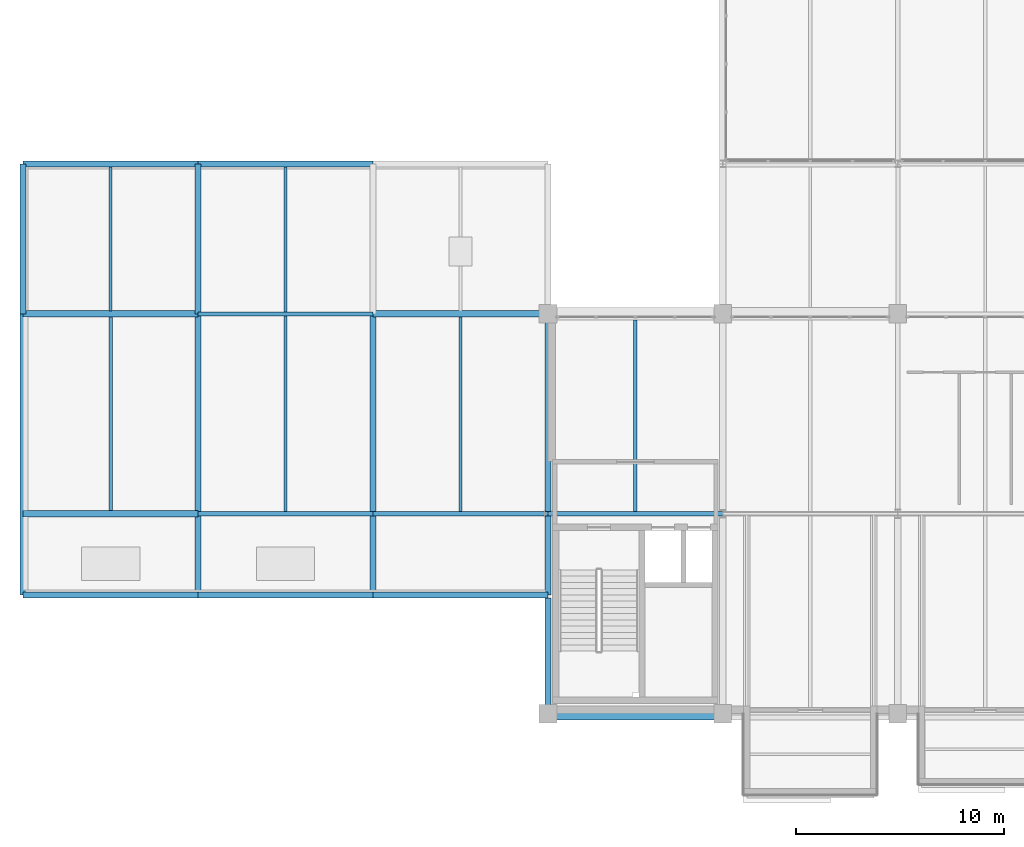
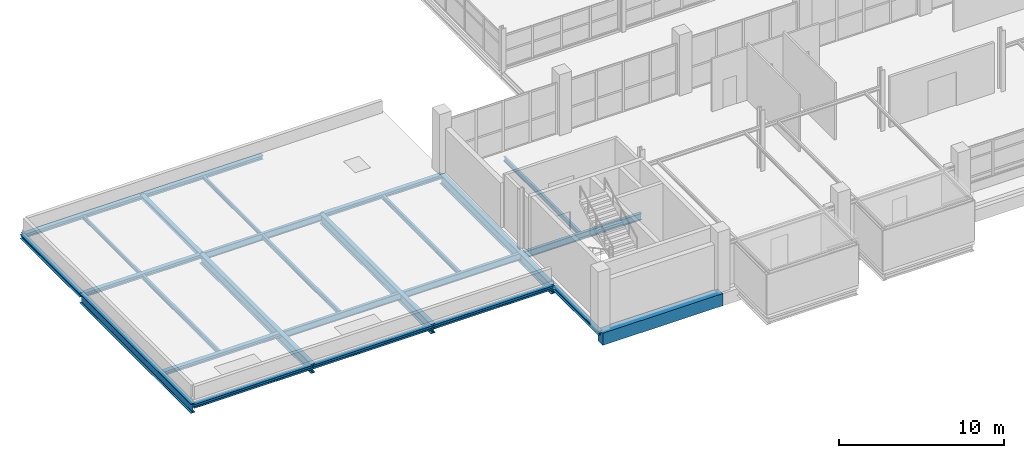
# One storey, part 11 of 103: 26 beams.
"""IFC4 building model written with IfcOpenShell, lengths in metres."""

from ifc_helpers import new_model, si_unit, direction, frame, origin, origin_2d, place, context, subcontext, project, spatial, rectangle, i_section, extrude, material, material_profile, profile_set, type_object, element, save


model = new_model("IFC4")

# Units and contexts
model_context = context("Model", 3, precision=1e-05, world=origin(), true_north=direction((0.0, 1.0)))
body_context = subcontext(model_context, "Body", "Model", "MODEL_VIEW")
ifc_project = project(units=[si_unit("LENGTHUNIT", "METRE"), si_unit("AREAUNIT", "SQUARE_METRE"), si_unit("VOLUMEUNIT", "CUBIC_METRE"), si_unit("PLANEANGLEUNIT", "RADIAN"), si_unit("MASSUNIT", "GRAM", prefix="KILO")], contexts=[model_context])

# Site, building, storey
site_placement = place(None, origin())
site = spatial("IfcSite", under=ifc_project, at=site_placement, CompositionType="ELEMENT")
building_placement = place(site_placement, origin())
building = spatial("IfcBuilding", under=site, at=building_placement, Name="Veltarok Museum of Natural Sciences", CompositionType="ELEMENT")
storey_placement = place(building_placement, frame((0.0, 0.0, 21.89990234375)))
storey = spatial("IfcBuildingStorey", under=building, at=storey_placement, Name="L04", CompositionType="ELEMENT", Elevation=21.89990234375)

# Beams
ifc_material_1 = material(Name="Concrete C40/50", Category="concrete")
ifc_material_profile_1 = material_profile(ifc_material_1, rectangle(XDim=0.60009765625, YDim=0.89990234375, at=origin_2d()), Name="RC 600x900")
ifc_profile_set_1 = profile_set([ifc_material_profile_1], Name="Concrete C40/50")
beam_type_1 = type_object("IfcBeamType", Name="Exposed Cabinet Perimeter Spandrel RC 600x900", PredefinedType="SPANDREL", material=ifc_profile_set_1)
beam_1_placement = place(storey_placement, frame((31.60009765625, 0.0, -0.699951171875), z_axis=(1.0, 0.0, 0.0), x_axis=(0.0, 1.0, 0.0)))
element("IfcBeam", 1, at=beam_1_placement, inside=storey, type_object=beam_type_1, Name="Beam BM-SP01 L04 4-5/A", PredefinedType="SPANDREL", context=body_context, shape_type="SweptSolid", body=[
    extrude(rectangle(XDim=0.60009765625, YDim=0.89990234375, at=origin_2d()), origin(), (0.0, 0.0, 1.0), 8.39990234375),
])
ifc_material_2 = material(Name="Steel S355J2", Category="steel")
ifc_material_profile_2 = material_profile(ifc_material_2, i_section(OverallWidth=0.300048828125, OverallDepth=0.2900390625, WebThickness=0.008544921875, FlangeThickness=0.013916015625, FilletRadius=0.027099609375, at=origin_2d()), Name="HEA 300")
ifc_profile_set_2 = profile_set([ifc_material_profile_2], Name="Steel S355J2")
beam_type_2 = type_object("IfcBeamType", Name="Glazed Hall Edge Spandrel HEA 300", PredefinedType="SPANDREL", material=ifc_profile_set_2)
for number, where, z_axis, x_axis, name in (
    (2, (6.39990234375, 9.60009765625, -0.39501953125), (1.0, 0.0, 0.0), (0.0, 1.0, 0.0), "Beam BM-SP03 L04 1-2/B"),
    (3, (6.39990234375, 19.199951171875, -0.39501953125), (1.0, 0.0, 0.0), (0.0, 1.0, 0.0), "Beam BM-SP03 L04 1-2/C"),
    (4, (23.199951171875, 19.199951171875, -0.39501953125), (1.0, 0.0, 0.0), (0.0, 1.0, 0.0), "Beam BM-SP03 L04 3-4/C"),
    (5, (6.39990234375, 26.39990234375, -0.39501953125), (1.0, 0.0, 0.0), (0.0, 1.0, 0.0), "Beam BM-SP03 L04 1-2/D"),
):
    element("IfcBeam", number, at=place(storey_placement, frame(where, z_axis=z_axis, x_axis=x_axis)), inside=storey, type_object=beam_type_2, Name=name, PredefinedType="SPANDREL", context=body_context, shape_type="SweptSolid", body=[
        extrude(i_section(OverallWidth=0.300048828125, OverallDepth=0.2900390625, WebThickness=0.008544921875, FlangeThickness=0.013916015625, FilletRadius=0.027099609375, at=origin_2d()), origin(), (0.0, 0.0, 1.0), 8.400146484375),
    ])
beam_2_placement = place(storey_placement, frame((14.800048828125, 26.39990234375, -0.39501953125), z_axis=(1.0, 0.0, 0.0), x_axis=(0.0, 1.0, 0.0)))
element("IfcBeam", 6, at=beam_2_placement, inside=storey, type_object=beam_type_2, Name="Beam BM-SP03 L04 2-3/D", PredefinedType="SPANDREL", context=body_context, shape_type="SweptSolid", body=[
    extrude(i_section(OverallWidth=0.300048828125, OverallDepth=0.2900390625, WebThickness=0.008544921875, FlangeThickness=0.013916015625, FilletRadius=0.027099609375, at=origin_2d()), origin(), (0.0, 0.0, 1.0), 8.39990234375),
])
for number, where, z_axis, x_axis, name in (
    (7, (6.39990234375, 19.199951171875, -0.39501953125), (0.0, 1.0, 0.0), (-1.0, 0.0, 0.0), "Beam BM-SP03 L04 1/C-D"),
    (8, (14.800048828125, 19.199951171875, -0.39501953125), (0.0, 1.0, 0.0), (-1.0, 0.0, 0.0), "Beam BM-SP03 L04 2/C-D"),
):
    element("IfcBeam", number, at=place(storey_placement, frame(where, z_axis=z_axis, x_axis=x_axis)), inside=storey, type_object=beam_type_2, Name=name, PredefinedType="SPANDREL", context=body_context, shape_type="SweptSolid", body=[
        extrude(i_section(OverallWidth=0.300048828125, OverallDepth=0.2900390625, WebThickness=0.008544921875, FlangeThickness=0.013916015625, FilletRadius=0.027099609375, at=origin_2d()), origin(), (0.0, 0.0, 1.0), 7.199951171875),
    ])
beam_3_placement = place(storey_placement, frame((31.60009765625, 0.0, -0.39501953125), z_axis=(0.0, 1.0, 0.0), x_axis=(-1.0, 0.0, 0.0)))
element("IfcBeam", 9, at=beam_3_placement, inside=storey, type_object=beam_type_2, Name="Beam BM-SP03 L04 4/A-B", PredefinedType="SPANDREL", context=body_context, shape_type="SweptSolid", body=[
    extrude(i_section(OverallWidth=0.300048828125, OverallDepth=0.2900390625, WebThickness=0.008544921875, FlangeThickness=0.013916015625, FilletRadius=0.027099609375, at=origin_2d()), origin(), (0.0, 0.0, 1.0), 5.550048828125),
])
beam_4_placement = place(storey_placement, frame((6.39990234375, 5.699951171875, -0.39501953125), z_axis=(1.0, 0.0, 0.0), x_axis=(0.0, 1.0, 0.0)))
element("IfcBeam", 10, at=beam_4_placement, inside=storey, type_object=beam_type_2, Name="Bridge South Edge Spandrel L04 1-2", PredefinedType="SPANDREL", context=body_context, shape_type="SweptSolid", body=[
    extrude(i_section(OverallWidth=0.300048828125, OverallDepth=0.2900390625, WebThickness=0.008544921875, FlangeThickness=0.013916015625, FilletRadius=0.027099609375, at=origin_2d()), origin(), (0.0, 0.0, 1.0), 8.400146484375),
])
beam_5_placement = place(storey_placement, frame((14.800048828125, 5.699951171875, -0.39501953125), z_axis=(1.0, 0.0, 0.0), x_axis=(0.0, 1.0, 0.0)))
element("IfcBeam", 11, at=beam_5_placement, inside=storey, type_object=beam_type_2, Name="Bridge South Edge Spandrel L04 2-3", PredefinedType="SPANDREL", context=body_context, shape_type="SweptSolid", body=[
    extrude(i_section(OverallWidth=0.300048828125, OverallDepth=0.2900390625, WebThickness=0.008544921875, FlangeThickness=0.013916015625, FilletRadius=0.027099609375, at=origin_2d()), origin(), (0.0, 0.0, 1.0), 8.39990234375),
])
beam_6_placement = place(storey_placement, frame((23.199951171875, 5.699951171875, -0.39501953125), z_axis=(1.0, 0.0, 0.0), x_axis=(0.0, 1.0, 0.0)))
element("IfcBeam", 12, at=beam_6_placement, inside=storey, type_object=beam_type_2, Name="Bridge South Edge Spandrel L04 3-4", PredefinedType="SPANDREL", context=body_context, shape_type="SweptSolid", body=[
    extrude(i_section(OverallWidth=0.300048828125, OverallDepth=0.2900390625, WebThickness=0.008544921875, FlangeThickness=0.013916015625, FilletRadius=0.027099609375, at=origin_2d()), origin(), (0.0, 0.0, 1.0), 8.400146484375),
])
ifc_material_profile_3 = material_profile(ifc_material_2, i_section(OverallWidth=0.300048828125, OverallDepth=0.699951171875, WebThickness=0.01708984375, FlangeThickness=0.031982421875, FilletRadius=0.027099609375, at=origin_2d()), Name="HEB 700")
ifc_profile_set_3 = profile_set([ifc_material_profile_3], Name="Steel S355J2")
beam_type_3 = type_object("IfcBeamType", Name="Long-Span Hall Girder HEB 700", PredefinedType="BEAM", material=ifc_profile_set_3)
for number, where, z_axis, x_axis, name in (
    (13, (6.39990234375, 5.699951171875, -0.599853515625), (0.0, 1.0, 0.0), (-1.0, 0.0, 0.0), "Bridge Cantilever Girder L04 1"),
    (14, (14.800048828125, 5.699951171875, -0.599853515625), (0.0, 1.0, 0.0), (-1.0, 0.0, 0.0), "Bridge Cantilever Girder L04 2"),
    (15, (23.199951171875, 5.699951171875, -0.599853515625), (0.0, 1.0, 0.0), (-1.0, 0.0, 0.0), "Bridge Cantilever Girder L04 3"),
    (16, (31.60009765625, 5.699951171875, -0.599853515625), (0.0, 1.0, 0.0), (-1.0, 0.0, 0.0), "Bridge Cantilever Girder L04 4"),
):
    element("IfcBeam", number, at=place(storey_placement, frame(where, z_axis=z_axis, x_axis=x_axis)), inside=storey, type_object=beam_type_3, Name=name, PredefinedType="BEAM", context=body_context, shape_type="SweptSolid", body=[
        extrude(i_section(OverallWidth=0.300048828125, OverallDepth=0.699951171875, WebThickness=0.01708984375, FlangeThickness=0.031982421875, FilletRadius=0.027099609375, at=origin_2d()), origin(), (0.0, 0.0, 1.0), 13.5),
    ])
ifc_material_profile_4 = material_profile(ifc_material_2, i_section(OverallWidth=0.159912109375, OverallDepth=0.330078125, WebThickness=0.007568359375, FlangeThickness=0.011474609375, FilletRadius=0.01806640625, at=origin_2d()), Name="IPE 330")
ifc_profile_set_4 = profile_set([ifc_material_profile_4], Name="Steel S355J2")
beam_type_4 = type_object("IfcBeamType", Name="Medium-Bay Composite Joist IPE 330", PredefinedType="JOIST", material=ifc_profile_set_4)
beam_7_placement = place(storey_placement, frame((10.60009765625, 9.748046875, -0.414794921875), z_axis=(0.0, 1.0, 0.0), x_axis=(-1.0, 0.0, 0.0)))
element("IfcBeam", 17, at=beam_7_placement, inside=storey, type_object=beam_type_4, Name="Secondary Joist BM-J02 L04 1-2/B-C.1", PredefinedType="JOIST", context=body_context, shape_type="SweptSolid", body=[
    extrude(i_section(OverallWidth=0.159912109375, OverallDepth=0.330078125, WebThickness=0.007568359375, FlangeThickness=0.011474609375, FilletRadius=0.01806640625, at=origin_2d()), origin(), (0.0, 0.0, 1.0), 9.303955078125),
])
beam_8_placement = place(storey_placement, frame((19.0, 9.697998046875, -0.414794921875), z_axis=(0.0, 1.0, 0.0), x_axis=(-1.0, 0.0, 0.0)))
element("IfcBeam", 18, at=beam_8_placement, inside=storey, type_object=beam_type_4, Name="Secondary Joist BM-J02 L04 2-3/B-C.1", PredefinedType="JOIST", context=body_context, shape_type="SweptSolid", body=[
    extrude(i_section(OverallWidth=0.159912109375, OverallDepth=0.330078125, WebThickness=0.007568359375, FlangeThickness=0.011474609375, FilletRadius=0.01806640625, at=origin_2d()), origin(), (0.0, 0.0, 1.0), 9.404052734375),
])
beam_9_placement = place(storey_placement, frame((27.39990234375, 9.697998046875, -0.414794921875), z_axis=(0.0, 1.0, 0.0), x_axis=(-1.0, 0.0, 0.0)))
element("IfcBeam", 19, at=beam_9_placement, inside=storey, type_object=beam_type_4, Name="Secondary Joist BM-J02 L04 3-4/B-C.1", PredefinedType="JOIST", context=body_context, shape_type="SweptSolid", body=[
    extrude(i_section(OverallWidth=0.159912109375, OverallDepth=0.330078125, WebThickness=0.007568359375, FlangeThickness=0.011474609375, FilletRadius=0.01806640625, at=origin_2d()), origin(), (0.0, 0.0, 1.0), 9.35400390625),
])
beam_10_placement = place(storey_placement, frame((35.800048828125, 9.697998046875, -0.414794921875), z_axis=(0.0, 1.0, 0.0), x_axis=(-1.0, 0.0, 0.0)))
element("IfcBeam", 20, at=beam_10_placement, inside=storey, type_object=beam_type_4, Name="Secondary Joist BM-J02 L04 4-5/B-C.1", PredefinedType="JOIST", context=body_context, shape_type="SweptSolid", body=[
    extrude(i_section(OverallWidth=0.159912109375, OverallDepth=0.330078125, WebThickness=0.007568359375, FlangeThickness=0.011474609375, FilletRadius=0.01806640625, at=origin_2d()), origin(), (0.0, 0.0, 1.0), 9.2041015625),
])
ifc_material_profile_5 = material_profile(ifc_material_2, i_section(OverallWidth=0.135009765625, OverallDepth=0.27001953125, WebThickness=0.006591796875, FlangeThickness=0.01025390625, FilletRadius=0.014892578125, at=origin_2d()), Name="IPE 270")
ifc_profile_set_5 = profile_set([ifc_material_profile_5], Name="Steel S355J2")
beam_type_5 = type_object("IfcBeamType", Name="Short-Bay Composite Joist IPE 270", PredefinedType="JOIST", material=ifc_profile_set_5)
beam_11_placement = place(storey_placement, frame((10.60009765625, 19.347900390625, -0.385009765625), z_axis=(0.0, 1.0, 0.0), x_axis=(-1.0, 0.0, 0.0)))
element("IfcBeam", 21, at=beam_11_placement, inside=storey, type_object=beam_type_5, Name="Secondary Joist BM-J04 L04 1-2/C-D.1", PredefinedType="JOIST", context=body_context, shape_type="SweptSolid", body=[
    extrude(i_section(OverallWidth=0.135009765625, OverallDepth=0.27001953125, WebThickness=0.006591796875, FlangeThickness=0.01025390625, FilletRadius=0.014892578125, at=origin_2d()), origin(), (0.0, 0.0, 1.0), 6.904052734375),
])
beam_12_placement = place(storey_placement, frame((19.0, 19.298095703125, -0.385009765625), z_axis=(0.0, 1.0, 0.0), x_axis=(-1.0, 0.0, 0.0)))
element("IfcBeam", 22, at=beam_12_placement, inside=storey, type_object=beam_type_5, Name="Secondary Joist BM-J04 L04 2-3/C-D.1", PredefinedType="JOIST", context=body_context, shape_type="SweptSolid", body=[
    extrude(i_section(OverallWidth=0.135009765625, OverallDepth=0.27001953125, WebThickness=0.006591796875, FlangeThickness=0.01025390625, FilletRadius=0.014892578125, at=origin_2d()), origin(), (0.0, 0.0, 1.0), 6.953857421875),
])
ifc_material_profile_6 = material_profile(ifc_material_2, i_section(OverallWidth=0.199951171875, OverallDepth=0.5, WebThickness=0.01025390625, FlangeThickness=0.01611328125, FilletRadius=0.02099609375, at=origin_2d()), Name="IPE 500")
ifc_profile_set_6 = profile_set([ifc_material_profile_6], Name="Steel S355J2")
beam_type_6 = type_object("IfcBeamType", Name="Standard Gallery Girder IPE 500", PredefinedType="BEAM", material=ifc_profile_set_6)
beam_13_placement = place(storey_placement, frame((14.800048828125, 9.60009765625, -0.5), z_axis=(1.0, 0.0, 0.0), x_axis=(0.0, 1.0, 0.0)))
element("IfcBeam", 23, at=beam_13_placement, inside=storey, type_object=beam_type_6, Name="Beam BM-G04 L04 2-3/B", PredefinedType="BEAM", context=body_context, shape_type="SweptSolid", body=[
    extrude(i_section(OverallWidth=0.199951171875, OverallDepth=0.5, WebThickness=0.01025390625, FlangeThickness=0.01611328125, FilletRadius=0.02099609375, at=origin_2d()), origin(), (0.0, 0.0, 1.0), 8.39990234375),
])
beam_14_placement = place(storey_placement, frame((23.199951171875, 9.60009765625, -0.5), z_axis=(1.0, 0.0, 0.0), x_axis=(0.0, 1.0, 0.0)))
element("IfcBeam", 24, at=beam_14_placement, inside=storey, type_object=beam_type_6, Name="Beam BM-G04 L04 3-4/B", PredefinedType="BEAM", context=body_context, shape_type="SweptSolid", body=[
    extrude(i_section(OverallWidth=0.199951171875, OverallDepth=0.5, WebThickness=0.01025390625, FlangeThickness=0.01611328125, FilletRadius=0.02099609375, at=origin_2d()), origin(), (0.0, 0.0, 1.0), 8.400146484375),
])
for number, where, z_axis, x_axis, name in (
    (25, (31.60009765625, 9.60009765625, -0.5), (1.0, 0.0, 0.0), (0.0, 1.0, 0.0), "Beam BM-G04 L04 4-5/B"),
    (26, (14.800048828125, 19.199951171875, -0.5), (1.0, 0.0, 0.0), (0.0, 1.0, 0.0), "Beam BM-G04 L04 2-3/C"),
):
    element("IfcBeam", number, at=place(storey_placement, frame(where, z_axis=z_axis, x_axis=x_axis)), inside=storey, type_object=beam_type_6, Name=name, PredefinedType="BEAM", context=body_context, shape_type="SweptSolid", body=[
        extrude(i_section(OverallWidth=0.199951171875, OverallDepth=0.5, WebThickness=0.01025390625, FlangeThickness=0.01611328125, FilletRadius=0.02099609375, at=origin_2d()), origin(), (0.0, 0.0, 1.0), 8.39990234375),
    ])

save(model, "model.ifc")
